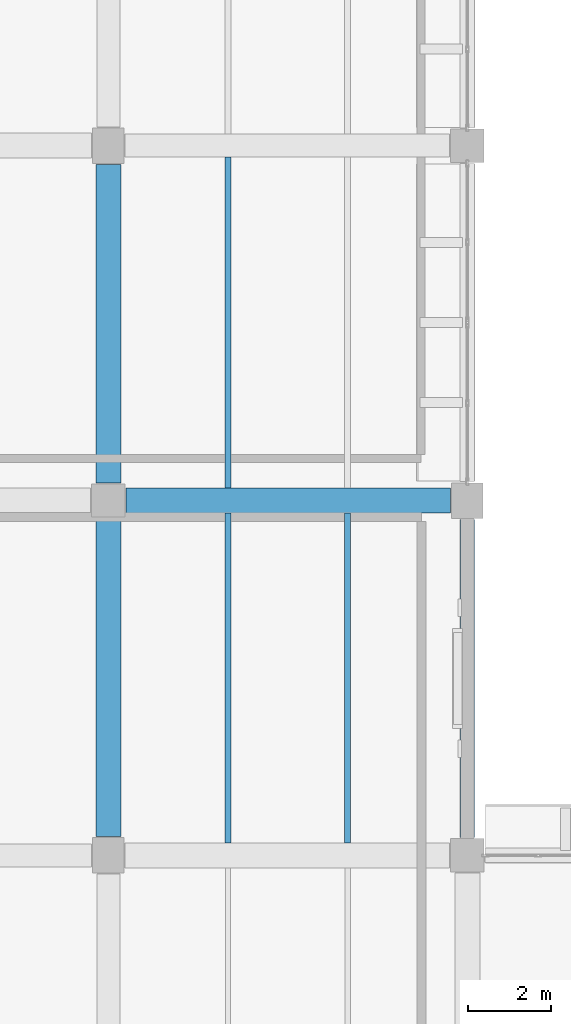
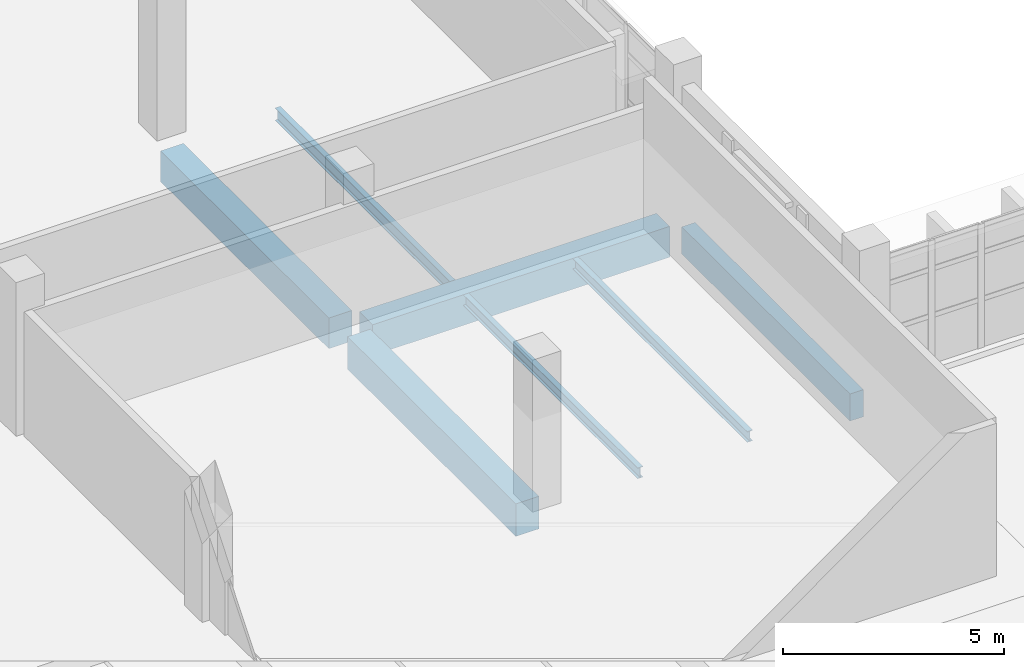
# One storey, part 22 of 76: 7 beams.
"""IFC4 building model written with IfcOpenShell, lengths in metres."""

from ifc_helpers import new_model, si_unit, direction, frame, origin, origin_2d, place, context, subcontext, project, spatial, rectangle, i_section, extrude, material, material_profile, profile_set, type_object, element, save


model = new_model("IFC4")

# Units and contexts
model_context = context("Model", 3, precision=1e-05, world=origin(), true_north=direction((0.0, 1.0)))
body_context = subcontext(model_context, "Body", "Model", "MODEL_VIEW")
ifc_project = project(units=[si_unit("LENGTHUNIT", "METRE"), si_unit("AREAUNIT", "SQUARE_METRE"), si_unit("VOLUMEUNIT", "CUBIC_METRE"), si_unit("PLANEANGLEUNIT", "RADIAN"), si_unit("MASSUNIT", "GRAM", prefix="KILO")], contexts=[model_context])

# Site, building, storey
site_placement = place(None, origin())
site = spatial("IfcSite", under=ifc_project, at=site_placement, CompositionType="ELEMENT")
building_placement = place(site_placement, origin())
building = spatial("IfcBuilding", under=site, at=building_placement, Name="Varnakota Cinema and Media Centre", CompositionType="ELEMENT")
storey_placement = place(building_placement, origin())
storey = spatial("IfcBuildingStorey", under=building, at=storey_placement, Name="L00", CompositionType="ELEMENT", Elevation=0.0)

# Beams
ifc_material_1 = material(Name="Concrete M35", Category="concrete")
ifc_material_profile_1 = material_profile(ifc_material_1, rectangle(XDim=0.60009765625, YDim=0.85009765625, at=origin_2d()), Name="RCB 600x850")
ifc_profile_set_1 = profile_set([ifc_material_profile_1], Name="Concrete M35")
beam_type_1 = type_object("IfcBeamType", Name="BM-RC-600x850", PredefinedType="BEAM", material=ifc_profile_set_1)
beam_1_placement = place(storey_placement, frame((34.824951171875, 52.5, -0.705078125), z_axis=(1.0, 0.0, 0.0), x_axis=(0.0, 1.0, 0.0)))
element("IfcBeam", 1, at=beam_1_placement, inside=storey, type_object=beam_type_1, Name="L00 girder E-F/7", PredefinedType="BEAM", context=body_context, shape_type="SweptSolid", body=[
    extrude(rectangle(XDim=0.60009765625, YDim=0.85009765625, at=origin_2d()), origin(), (0.0, 0.0, 1.0), 7.775146484375),
])
beam_2_placement = place(storey_placement, frame((34.39990234375, 52.925048828125, -0.705078125), z_axis=(0.0, 1.0, 0.0), x_axis=(-1.0, 0.0, 0.0)))
element("IfcBeam", 2, at=beam_2_placement, inside=storey, type_object=beam_type_1, Name="L00 girder E/7-8", PredefinedType="BEAM", context=body_context, shape_type="SweptSolid", body=[
    extrude(rectangle(XDim=0.60009765625, YDim=0.85009765625, at=origin_2d()), origin(), (0.0, 0.0, 1.0), 7.625),
])
ifc_material_2 = material(Name="Concrete M40", Category="concrete")
ifc_material_profile_2 = material_profile(ifc_material_2, rectangle(XDim=0.60009765625, YDim=0.89990234375, at=origin_2d()), Name="RCB 600x900")
ifc_profile_set_2 = profile_set([ifc_material_profile_2], Name="Concrete M40")
beam_type_2 = type_object("IfcBeamType", Name="BM-RC-600x900", PredefinedType="BEAM", material=ifc_profile_set_2)
beam_3_placement = place(storey_placement, frame((34.39990234375, 44.449951171875, -0.72998046875), z_axis=(0.0, 1.0, 0.0), x_axis=(-1.0, 0.0, 0.0)))
element("IfcBeam", 3, at=beam_3_placement, inside=storey, type_object=beam_type_2, Name="L00 girder E/6-7", PredefinedType="BEAM", context=body_context, shape_type="SweptSolid", body=[
    extrude(rectangle(XDim=0.60009765625, YDim=0.89990234375, at=origin_2d()), origin(), (0.0, 0.0, 1.0), 7.625),
])
ifc_material_3 = material(Name="Concrete M40", Category="concrete")
ifc_material_profile_3 = material_profile(ifc_material_3, rectangle(XDim=0.35009765625, YDim=0.75, at=origin_2d()), Name="RCB 350x750")
ifc_profile_set_3 = profile_set([ifc_material_profile_3], Name="Concrete M40")
beam_type_3 = type_object("IfcBeamType", Name="BM-SP-350x750", PredefinedType="SPANDREL", material=ifc_profile_set_3)
beam_4_placement = place(storey_placement, frame((43.0, 44.425048828125, -0.655029296875), z_axis=(0.0, 1.0, 0.0), x_axis=(-1.0, 0.0, 0.0)))
element("IfcBeam", 4, at=beam_4_placement, inside=storey, type_object=beam_type_3, Name="L00 girder F/6-7", PredefinedType="SPANDREL", context=body_context, shape_type="SweptSolid", body=[
    extrude(rectangle(XDim=0.35009765625, YDim=0.75, at=origin_2d()), origin(), (0.0, 0.0, 1.0), 7.625),
])
ifc_material_4 = material(Name="Structural steel Grade 350 (E350)", Category="steel")
ifc_material_profile_4 = material_profile(ifc_material_4, i_section(OverallWidth=0.139892578125, OverallDepth=0.300048828125, WebThickness=0.0078125, FlangeThickness=0.01318359375, FilletRadius=0.013916015625, at=origin_2d()), Name="ISMB 300")
ifc_profile_set_4 = profile_set([ifc_material_profile_4], Name="Structural steel Grade 350 (E350)")
beam_type_4 = type_object("IfcBeamType", Name="BM-ST-ISMB300", PredefinedType="JOIST", material=ifc_profile_set_4)
for number, where, z_axis, x_axis, name in (
    (5, (37.2666015625, 44.300048828125, -0.429931640625), (0.0, 1.0, 0.0), (-1.0, 0.0, 0.0), "L00 steel joist E-F/6-7 #1"),
    (6, (40.13330078125, 44.300048828125, -0.429931640625), (0.0, 1.0, 0.0), (-1.0, 0.0, 0.0), "L00 steel joist E-F/6-7 #2"),
):
    element("IfcBeam", number, at=place(storey_placement, frame(where, z_axis=z_axis, x_axis=x_axis)), inside=storey, type_object=beam_type_4, Name=name, PredefinedType="JOIST", context=body_context, shape_type="SweptSolid", body=[
        extrude(i_section(OverallWidth=0.139892578125, OverallDepth=0.300048828125, WebThickness=0.0078125, FlangeThickness=0.01318359375, FilletRadius=0.013916015625, at=origin_2d()), origin(), (0.0, 0.0, 1.0), 7.89990234375),
    ])
ifc_material_5 = material(Name="Structural steel Grade 350 (E350)", Category="steel")
ifc_material_profile_5 = material_profile(ifc_material_5, i_section(OverallWidth=0.139892578125, OverallDepth=0.35009765625, WebThickness=0.008056640625, FlangeThickness=0.01416015625, FilletRadius=0.013916015625, at=origin_2d()), Name="ISMB 350")
ifc_profile_set_5 = profile_set([ifc_material_profile_5], Name="Structural steel Grade 350 (E350)")
beam_type_5 = type_object("IfcBeamType", Name="BM-ST-ISMB350", PredefinedType="JOIST", material=ifc_profile_set_5)
beam_5_placement = place(storey_placement, frame((37.2666015625, 52.800048828125, -0.455078125), z_axis=(0.0, 1.0, 0.0), x_axis=(-1.0, 0.0, 0.0)))
element("IfcBeam", 7, at=beam_5_placement, inside=storey, type_object=beam_type_5, Name="L00 steel joist E-F/7-8 #1", PredefinedType="JOIST", context=body_context, shape_type="SweptSolid", body=[
    extrude(i_section(OverallWidth=0.139892578125, OverallDepth=0.35009765625, WebThickness=0.008056640625, FlangeThickness=0.01416015625, FilletRadius=0.013916015625, at=origin_2d()), origin(), (0.0, 0.0, 1.0), 7.925048828125),
])

save(model, "model.ifc")
